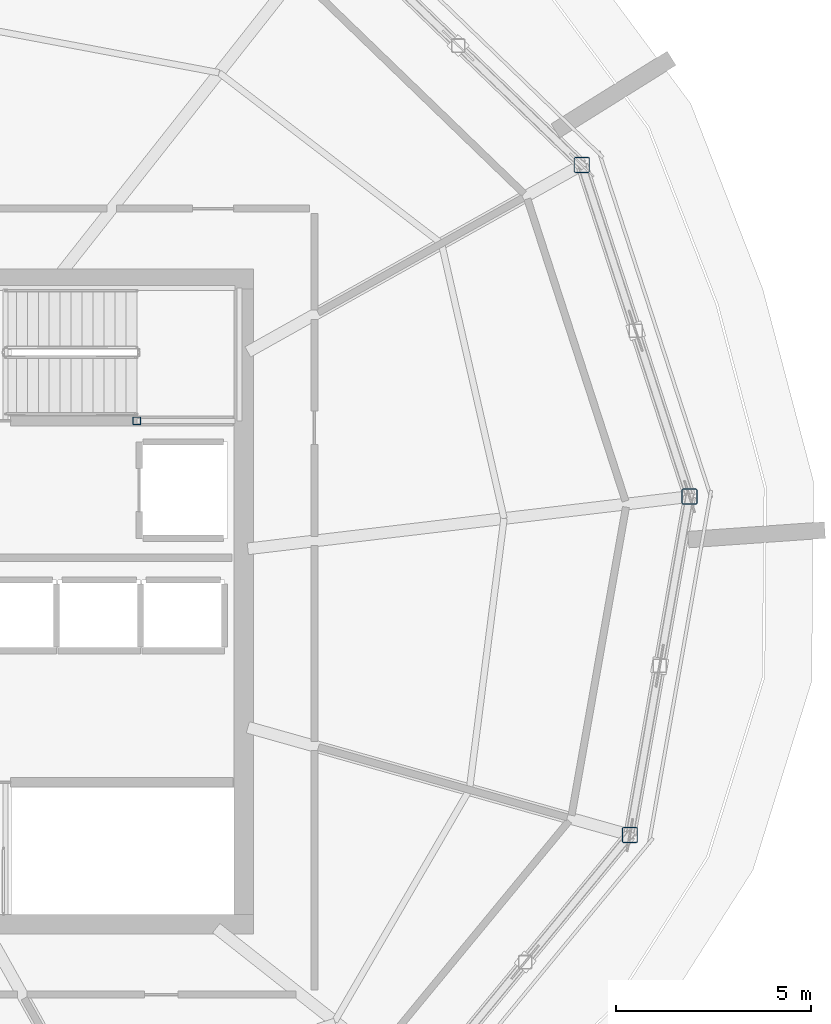
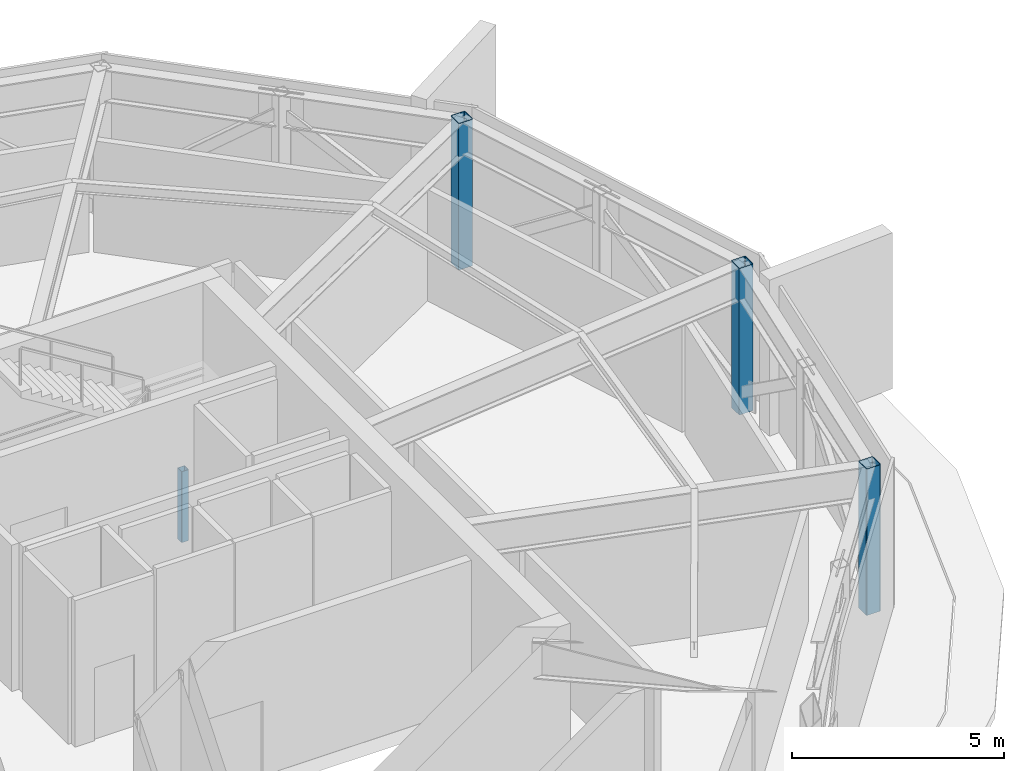
# One storey, part 3 of 14: 4 columns.
"""IFC4 building model written with IfcOpenShell, lengths in metres."""

from ifc_helpers import new_model, si_unit, direction, frame, origin, origin_2d, place, context, subcontext, project, spatial, hollow_rectangle, extrude, material, material_profile, profile_set, type_object, element, save


model = new_model("IFC4")

# Units and contexts
model_context = context("Model", 3, precision=1e-05, world=origin(), true_north=direction((0.0, 1.0)))
body_context = subcontext(model_context, "Body", "Model", "MODEL_VIEW")
ifc_project = project(units=[si_unit("LENGTHUNIT", "METRE"), si_unit("AREAUNIT", "SQUARE_METRE"), si_unit("VOLUMEUNIT", "CUBIC_METRE"), si_unit("PLANEANGLEUNIT", "RADIAN"), si_unit("MASSUNIT", "GRAM", prefix="KILO")], contexts=[model_context])

# Site, building, storey
site_placement = place(None, origin())
site = spatial("IfcSite", under=ifc_project, at=site_placement, CompositionType="ELEMENT")
building_placement = place(site_placement, origin())
building = spatial("IfcBuilding", under=site, at=building_placement, Name="Kazma Halo Residences", CompositionType="ELEMENT")
storey_placement = place(building_placement, frame((0.0, 0.0, 351.5)))
storey = spatial("IfcBuildingStorey", under=building, at=storey_placement, Name="L88", CompositionType="ELEMENT", Elevation=351.5)

# Columns
ifc_material = material(Name="Steel S355", Category="steel")
ifc_material_profile_1 = material_profile(ifc_material, hollow_rectangle(XDim=0.39990234375, YDim=0.39990234375, WallThickness=0.02001953125, InnerFilletRadius=0.02001953125, OuterFilletRadius=0.0400390625, at=origin_2d()), Name="SHS400x400x20")
ifc_profile_set_1 = profile_set([ifc_material_profile_1], Name="Steel S355")
column_type_1 = type_object("IfcColumnType", Name="COL-CROWN-SHS400", PredefinedType="COLUMN", material=ifc_profile_set_1)
for number, where, z_axis, x_axis, name in (
    (1, (67.940673828125, 53.167236328125, 0.0), (0.0, 0.0, 1.0), (1.0, 0.0, 0.0), "L88 perimeter ring column P01"),
    (2, (69.169921875, 36.029541015625, 0.0), (0.0, 0.0, 1.0), (1.0, 0.0, 0.0), "L88 perimeter ring column P15"),
    (3, (70.6962890625, 44.686279296875, 0.0), (0.0, 0.0, 1.0), (1.0, 0.0, 0.0), "L88 perimeter ring column P16"),
):
    element("IfcColumn", number, at=place(storey_placement, frame(where, z_axis=z_axis, x_axis=x_axis)), inside=storey, type_object=column_type_1, Name=name, PredefinedType="COLUMN", context=body_context, shape_type="SweptSolid", body=[
        extrude(hollow_rectangle(XDim=0.39990234375, YDim=0.39990234375, WallThickness=0.02001953125, InnerFilletRadius=0.02001953125, OuterFilletRadius=0.0400390625, at=origin_2d()), origin(), (0.0, 0.0, 1.0), 4.219970703125),
    ])
ifc_material_profile_2 = material_profile(ifc_material, hollow_rectangle(XDim=0.199951171875, YDim=0.199951171875, WallThickness=0.010009765625, InnerFilletRadius=0.010009765625, OuterFilletRadius=0.02001953125, at=origin_2d()), Name="SHS200x200x10")
ifc_profile_set_2 = profile_set([ifc_material_profile_2], Name="Steel S355")
column_type_2 = type_object("IfcColumnType", Name="COL-LP-SHS200", PredefinedType="COLUMN", material=ifc_profile_set_2)
column_placement = place(storey_placement, frame((56.56005859375, 46.6201171875, 0.0), z_axis=(0.0, 0.0, 1.0), x_axis=(1.0, 0.0, 0.0)))
element("IfcColumn", 4, at=column_placement, inside=storey, type_object=column_type_2, Name="L88 ST-02 landing pilaster 1", PredefinedType="COLUMN", context=body_context, shape_type="SweptSolid", body=[
    extrude(hollow_rectangle(XDim=0.199951171875, YDim=0.199951171875, WallThickness=0.010009765625, InnerFilletRadius=0.010009765625, OuterFilletRadius=0.02001953125, at=origin_2d()), origin(), (0.0, 0.0, 1.0), 2.044921875),
])

save(model, "model.ifc")
